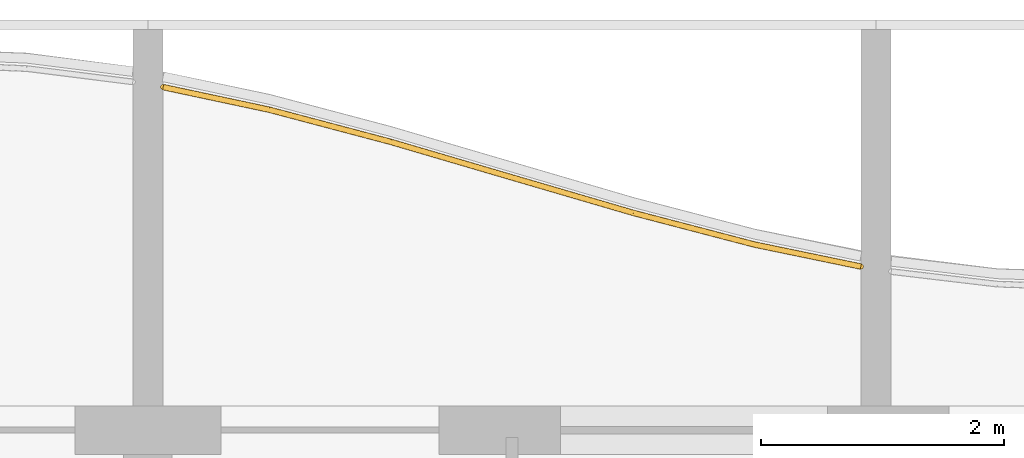
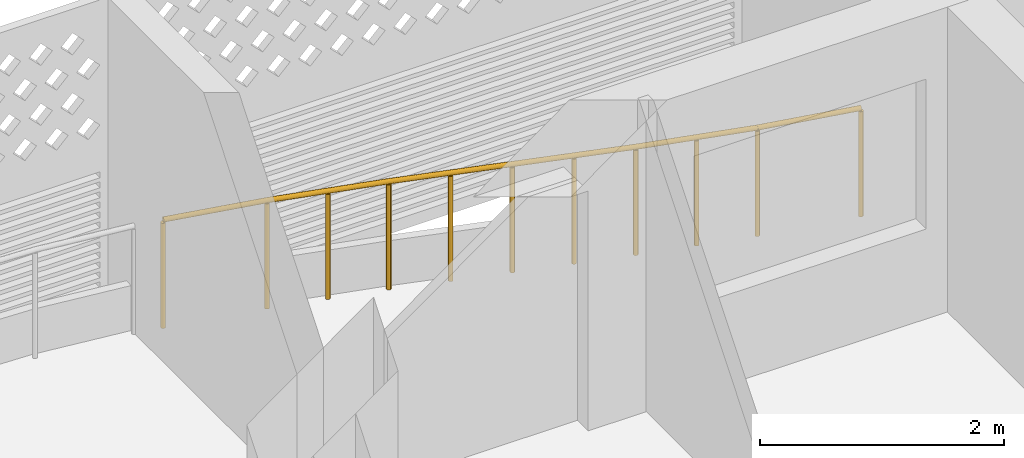
# One storey, part 30 of 44: 1 railing.
"""IFC4 building model written with IfcOpenShell, lengths in metres."""

from ifc_helpers import new_model, si_unit, direction, frame, origin, origin_2d, place, context, subcontext, project, spatial, circle, extrude, material, type_object, element, save


model = new_model("IFC4")

# Units and contexts
model_context = context("Model", 3, precision=1e-05, world=origin(), true_north=direction((0.0, 1.0)))
body_context = subcontext(model_context, "Body", "Model", "MODEL_VIEW")
ifc_project = project(units=[si_unit("LENGTHUNIT", "METRE"), si_unit("AREAUNIT", "SQUARE_METRE"), si_unit("VOLUMEUNIT", "CUBIC_METRE"), si_unit("PLANEANGLEUNIT", "RADIAN"), si_unit("MASSUNIT", "GRAM", prefix="KILO")], contexts=[model_context])

# Site, building, storey
site_placement = place(None, origin())
site = spatial("IfcSite", under=ifc_project, at=site_placement, CompositionType="ELEMENT")
building_placement = place(site_placement, origin())
building = spatial("IfcBuilding", under=site, at=building_placement, Name="Poui Terraces", CompositionType="ELEMENT")
storey_placement = place(building_placement, frame((0.0, 0.0, 26.699951171875)))
storey = spatial("IfcBuildingStorey", under=building, at=storey_placement, Name="L06", CompositionType="ELEMENT", Elevation=26.699951171875)

# Railing
ifc_material = material(Name="Painted steel fretwork", Category="steel")
railing_type = type_object("IfcRailingType", Name="BALCONY GUARD 1100", PredefinedType="GUARDRAIL", material=ifc_material)
railing_placement = place(storey_placement, frame((42.125, 47.626953125, 0.0)))
element("IfcRailing", 1, at=railing_placement, inside=storey, type_object=railing_type, Name="BALCONY GUARD", PredefinedType="GUARDRAIL", context=body_context, shape_type="SweptSolid", body=[
    extrude(circle(Radius=0.02392578125, at=origin_2d()), frame((0.0, 0.0, 1.076171875), z_axis=(0.978081102003, -0.208224297106, 0.0), x_axis=(0.208224297106, 0.978081102003, 0.0)), (0.0, 0.0, 1.0), 0.89453125),
    extrude(circle(Radius=0.02392578125, at=origin_2d()), frame((0.875, -0.186279296875, 1.076171875), z_axis=(0.966718963822, -0.255840663277, 0.0), x_axis=(0.255840663277, 0.966718963822, 0.0)), (0.0, 0.0, 1.0), 1.034423828125),
    extrude(circle(Radius=0.02392578125, at=origin_2d()), frame((1.875, -0.450927734375, 1.076171875), z_axis=(0.959536917318, -0.281582855131, 0.0), x_axis=(0.281582855131, 0.959536917318, 0.0)), (0.0, 0.0, 1.0), 1.042236328125),
    extrude(circle(Radius=0.02392578125, at=origin_2d()), frame((2.875, -0.744384765625, 1.076171875), z_axis=(0.959852890267, -0.280503884192, 0.0), x_axis=(0.280503884192, 0.959852890267, 0.0)), (0.0, 0.0, 1.0), 1.041748046875),
    extrude(circle(Radius=0.02392578125, at=origin_2d()), frame((3.875, -1.03662109375, 1.076171875), z_axis=(0.967589671846, -0.252527675587, 0.0), x_axis=(0.252527675587, 0.967589671846, 0.0)), (0.0, 0.0, 1.0), 1.033447265625),
    extrude(circle(Radius=0.02392578125, at=origin_2d()), frame((4.875, -1.297607421875, 1.076171875), z_axis=(0.979234241666, -0.202732089095, 0.0), x_axis=(0.202732089095, 0.979234241666, 0.0)), (0.0, 0.0, 1.0), 0.8935546875),
    extrude(circle(Radius=0.02099609375, at=origin_2d()), origin(), (0.0, 0.0, 1.0), 1.052001953125),
    extrude(circle(Radius=0.02099609375, at=origin_2d()), frame((0.875, -0.186279296875, 0.0)), (0.0, 0.0, 1.0), 1.052001953125),
    extrude(circle(Radius=0.02099609375, at=origin_2d()), frame((1.375, -0.318603515625, 0.0)), (0.0, 0.0, 1.0), 1.052001953125),
    extrude(circle(Radius=0.02099609375, at=origin_2d()), frame((1.875, -0.450927734375, 0.0)), (0.0, 0.0, 1.0), 1.052001953125),
    extrude(circle(Radius=0.02099609375, at=origin_2d()), frame((2.375, -0.59765625, 0.0)), (0.0, 0.0, 1.0), 1.052001953125),
    extrude(circle(Radius=0.02099609375, at=origin_2d()), frame((2.875, -0.744384765625, 0.0)), (0.0, 0.0, 1.0), 1.052001953125),
    extrude(circle(Radius=0.02099609375, at=origin_2d()), frame((3.375, -0.890625, 0.0)), (0.0, 0.0, 1.0), 1.052001953125),
    extrude(circle(Radius=0.02099609375, at=origin_2d()), frame((3.875, -1.03662109375, 0.0)), (0.0, 0.0, 1.0), 1.052001953125),
    extrude(circle(Radius=0.02099609375, at=origin_2d()), frame((4.375, -1.1669921875, 0.0)), (0.0, 0.0, 1.0), 1.052001953125),
    extrude(circle(Radius=0.02099609375, at=origin_2d()), frame((4.875, -1.297607421875, 0.0)), (0.0, 0.0, 1.0), 1.052001953125),
    extrude(circle(Radius=0.02099609375, at=origin_2d()), frame((5.75, -1.478759765625, 0.0)), (0.0, 0.0, 1.0), 1.052001953125),
])

save(model, "model.ifc")
